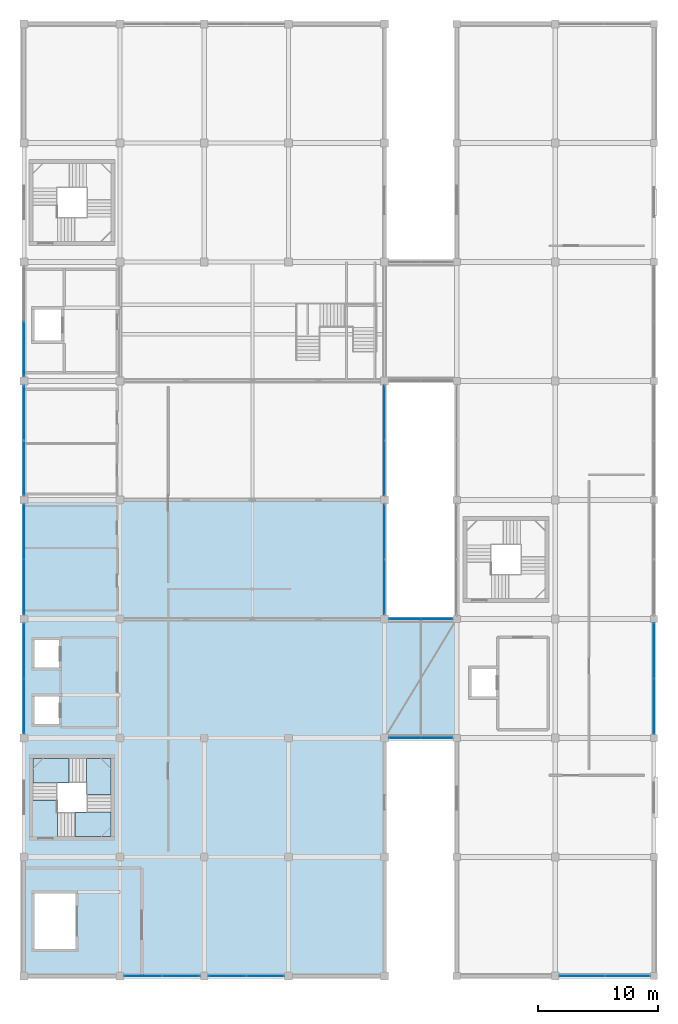
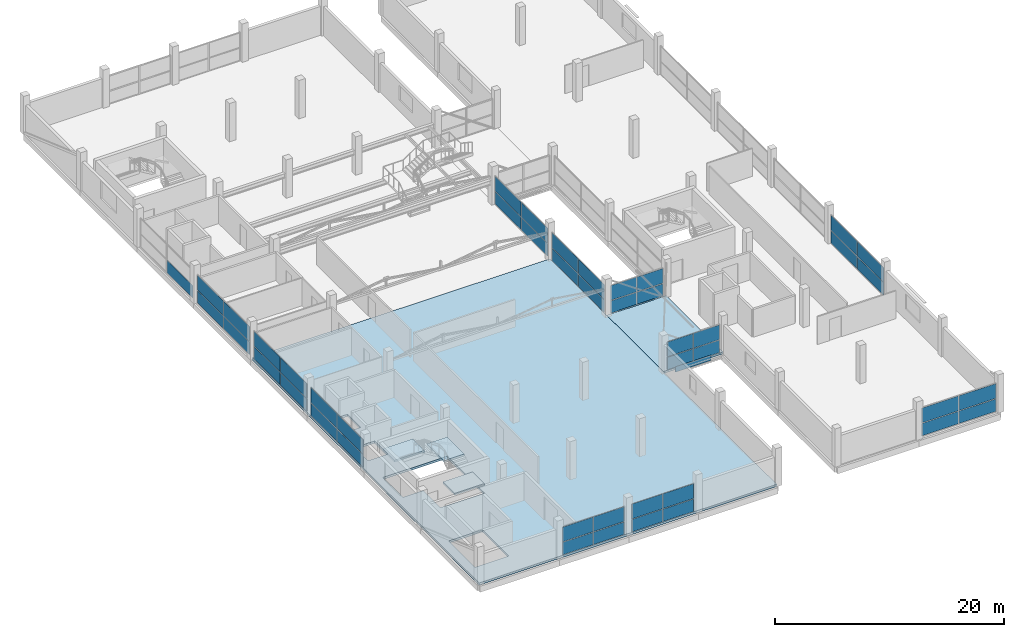
# One storey, part 53 of 70: 47 plates, 5 slabs, 13 elements without a shape of their own.
"""IFC4 building model written with IfcOpenShell, lengths in metres."""

from ifc_helpers import new_model, si_unit, direction, frame, origin, origin_2d, place, context, subcontext, project, spatial, polyline, rectangle, outline, extrude, material, layer, layer_set, type_object, element, aggregate, save


model = new_model("IFC4")

# Units and contexts
model_context = context("Model", 3, precision=1e-05, world=origin(), true_north=direction((0.0, 1.0)))
body_context = subcontext(model_context, "Body", "Model", "MODEL_VIEW")
ifc_project = project(units=[si_unit("LENGTHUNIT", "METRE"), si_unit("AREAUNIT", "SQUARE_METRE"), si_unit("VOLUMEUNIT", "CUBIC_METRE"), si_unit("PLANEANGLEUNIT", "RADIAN"), si_unit("MASSUNIT", "GRAM", prefix="KILO")], contexts=[model_context])

# Site, building, storey
site_placement = place(None, origin())
site = spatial("IfcSite", under=ifc_project, at=site_placement, CompositionType="ELEMENT")
building_placement = place(site_placement, origin())
building = spatial("IfcBuilding", under=site, at=building_placement, Name="Sillaruma Civic Art Gallery", CompositionType="ELEMENT")
storey_placement = place(building_placement, frame((0.0, 0.0, 66.300048828125)))
storey = spatial("IfcBuildingStorey", under=building, at=storey_placement, Name="L13", CompositionType="ELEMENT", Elevation=66.300048828125)

# Plates
ifc_material_1 = material(Name="Anodised Zinc-Aluminium Alloy", Category="aluminium")
ifc_layer_1 = layer(ifc_material_1, 0.044921875, Name="Anodised Zinc-Aluminium Alloy")
ifc_layer_set_1 = layer_set([ifc_layer_1], Name="Anodised Zinc-Aluminium Alloy")
plate_type_1 = type_object("IfcPlateType", Name="PLT-FAS-01", PredefinedType="USERDEFINED", material=ifc_layer_set_1)
for number, where, z_axis, x_axis, name in (
    (1, (95.0, 39.60009765625, -0.469970703125), (0.0, 0.0, 1.0), (1.0, 0.0, 0.0), "Sky-Bridge Fascia Cassette (BRG-S:L13:S)"),
    (2, (95.0, 49.5, -0.469970703125), (0.0, 0.0, 1.0), (1.0, 0.0, 0.0), "Sky-Bridge Fascia Cassette (BRG-S:L13:N)"),
):
    element("IfcPlate", number, at=place(storey_placement, frame(where, z_axis=z_axis, x_axis=x_axis)), inside=storey, type_object=plate_type_1, Name=name, ObjectType="FASCIA CASSETTE", PredefinedType="USERDEFINED", context=body_context, shape_type="SweptSolid", body=[
        extrude(rectangle(XDim=3.60009765625, YDim=0.044921875, at=origin_2d()), origin(), (0.0, 0.0, 1.0), 0.580078125),
    ])

# Curtain wall, plates
ifc_material_2 = material(Name="Thermally Broken Extruded Aluminium 6063-T6", Category="aluminium")
ifc_layer_2 = layer(ifc_material_2, 0.139892578125, Name="Thermally Broken Extruded Aluminium 6063-T6")
ifc_layer_set_2 = layer_set([ifc_layer_2], Name="Thermally Broken Extruded Aluminium 6063-T6")
curtain_wall_type_1 = type_object("IfcCurtainWallType", Name="CW-UNI-93", PredefinedType="NOTDEFINED", material=ifc_layer_set_2)
curtain_wall_1_placement = place(storey_placement, origin())
curtain_wall_1 = element("IfcCurtainWall", 3, at=curtain_wall_1_placement, inside=storey, type_object=curtain_wall_type_1, Name="Unitised Curtain Wall CW-93 (CW-L13-WBW-4)", PredefinedType="NOTDEFINED")
ifc_material_3 = material(Name="Low-E UV-Filtered Laminated Insulating Glass", Category="glass")
ifc_layer_3 = layer(ifc_material_3, 0.028076171875, Name="Low-E UV-Filtered Laminated Insulating Glass")
ifc_layer_set_3 = layer_set([ifc_layer_3], Name="Low-E UV-Filtered Laminated Insulating Glass")
plate_type_2 = type_object("IfcPlateType", Name="PNL-GLZ-28", PredefinedType="CURTAIN_PANEL", material=ifc_layer_set_3)
plate_1_placement = place(storey_placement, frame((62.0, 52.152587890625, 0.06005859375), z_axis=(0.0, 0.0, 1.0), x_axis=(0.0, 1.0, 0.0)))
plate_1 = element("IfcPlate", 4, at=plate_1_placement, type_object=plate_type_2, Name="CW-93 panel 1.1", PredefinedType="CURTAIN_PANEL", context=body_context, shape_type="SweptSolid", body=[
    extrude(rectangle(XDim=4.534912109375, YDim=0.028076171875, at=origin_2d()), origin(), (0.0, 0.0, 1.0), 1.326904296875),
])
plate_2_placement = place(storey_placement, frame((62.0, 52.152587890625, 1.44677734375), z_axis=(0.0, 0.0, 1.0), x_axis=(0.0, 1.0, 0.0)))
plate_2 = element("IfcPlate", 5, at=plate_2_placement, type_object=plate_type_2, Name="CW-93 panel 1.2", PredefinedType="CURTAIN_PANEL", context=body_context, shape_type="SweptSolid", body=[
    extrude(rectangle(XDim=4.534912109375, YDim=0.028076171875, at=origin_2d()), origin(), (0.0, 0.0, 1.0), 1.5732421875),
])
plate_3_placement = place(storey_placement, frame((62.0, 56.74755859375, 0.06005859375), z_axis=(0.0, 0.0, 1.0), x_axis=(0.0, 1.0, 0.0)))
plate_3 = element("IfcPlate", 6, at=plate_3_placement, type_object=plate_type_2, Name="CW-93 panel 2.1", PredefinedType="CURTAIN_PANEL", context=body_context, shape_type="SweptSolid", body=[
    extrude(rectangle(XDim=4.534912109375, YDim=0.028076171875, at=origin_2d()), origin(), (0.0, 0.0, 1.0), 1.326904296875),
])
plate_4_placement = place(storey_placement, frame((62.0, 56.74755859375, 1.44677734375), z_axis=(0.0, 0.0, 1.0), x_axis=(0.0, 1.0, 0.0)))
plate_4 = element("IfcPlate", 7, at=plate_4_placement, type_object=plate_type_2, Name="CW-93 panel 2.2", PredefinedType="CURTAIN_PANEL", context=body_context, shape_type="SweptSolid", body=[
    extrude(rectangle(XDim=4.534912109375, YDim=0.028076171875, at=origin_2d()), origin(), (0.0, 0.0, 1.0), 1.5732421875),
])
aggregate(curtain_wall_1, [plate_1, plate_2, plate_3, plate_4])

ifc_layer_4 = layer(ifc_material_2, 0.139892578125, Name="Thermally Broken Extruded Aluminium 6063-T6")
ifc_layer_set_4 = layer_set([ifc_layer_4], Name="Thermally Broken Extruded Aluminium 6063-T6")
curtain_wall_type_2 = type_object("IfcCurtainWallType", Name="CW-UNI-106", PredefinedType="NOTDEFINED", material=ifc_layer_set_4)
curtain_wall_2_placement = place(storey_placement, origin())
curtain_wall_2 = element("IfcCurtainWall", 8, at=curtain_wall_2_placement, inside=storey, type_object=curtain_wall_type_2, Name="Unitised Curtain Wall CW-106 (CW-L13-WBS-3)", PredefinedType="NOTDEFINED")
plate_5_placement = place(storey_placement, frame((78.927490234375, 19.800048828125, 0.06005859375), z_axis=(0.0, 0.0, 1.0), x_axis=(1.0, 0.0, 0.0)))
plate_5 = element("IfcPlate", 9, at=plate_5_placement, type_object=plate_type_2, Name="CW-106 panel 1.1", PredefinedType="CURTAIN_PANEL", context=body_context, shape_type="SweptSolid", body=[
    extrude(rectangle(XDim=3.0849609375, YDim=0.028076171875, at=origin_2d()), origin(), (0.0, 0.0, 1.0), 1.326904296875),
])
plate_6_placement = place(storey_placement, frame((78.927490234375, 19.800048828125, 1.44677734375), z_axis=(0.0, 0.0, 1.0), x_axis=(1.0, 0.0, 0.0)))
plate_6 = element("IfcPlate", 10, at=plate_6_placement, type_object=plate_type_2, Name="CW-106 panel 1.2", PredefinedType="CURTAIN_PANEL", context=body_context, shape_type="SweptSolid", body=[
    extrude(rectangle(XDim=3.0849609375, YDim=0.028076171875, at=origin_2d()), origin(), (0.0, 0.0, 1.0), 1.5732421875),
])
plate_7_placement = place(storey_placement, frame((82.072509765625, 19.800048828125, 0.06005859375), z_axis=(0.0, 0.0, 1.0), x_axis=(1.0, 0.0, 0.0)))
plate_7 = element("IfcPlate", 11, at=plate_7_placement, type_object=plate_type_2, Name="CW-106 panel 2.1", PredefinedType="CURTAIN_PANEL", context=body_context, shape_type="SweptSolid", body=[
    extrude(rectangle(XDim=3.0849609375, YDim=0.028076171875, at=origin_2d()), origin(), (0.0, 0.0, 1.0), 1.326904296875),
])
plate_8_placement = place(storey_placement, frame((82.072509765625, 19.800048828125, 1.44677734375), z_axis=(0.0, 0.0, 1.0), x_axis=(1.0, 0.0, 0.0)))
plate_8 = element("IfcPlate", 12, at=plate_8_placement, type_object=plate_type_2, Name="CW-106 panel 2.2", PredefinedType="CURTAIN_PANEL", context=body_context, shape_type="SweptSolid", body=[
    extrude(rectangle(XDim=3.0849609375, YDim=0.028076171875, at=origin_2d()), origin(), (0.0, 0.0, 1.0), 1.5732421875),
])
aggregate(curtain_wall_2, [plate_5, plate_6, plate_7, plate_8])

ifc_layer_5 = layer(ifc_material_2, 0.139892578125, Name="Thermally Broken Extruded Aluminium 6063-T6")
ifc_layer_set_5 = layer_set([ifc_layer_5], Name="Thermally Broken Extruded Aluminium 6063-T6")
curtain_wall_type_3 = type_object("IfcCurtainWallType", Name="CW-UNI-107", PredefinedType="NOTDEFINED", material=ifc_layer_set_5)
curtain_wall_3_placement = place(storey_placement, origin())
curtain_wall_3 = element("IfcCurtainWall", 13, at=curtain_wall_3_placement, inside=storey, type_object=curtain_wall_type_3, Name="Unitised Curtain Wall CW-107 (CW-L13-EBS-2)", PredefinedType="NOTDEFINED")
plate_9_placement = place(storey_placement, frame((108.433837890625, 19.800048828125, 0.06005859375), z_axis=(0.0, 0.0, 1.0), x_axis=(1.0, 0.0, 0.0)))
plate_9 = element("IfcPlate", 14, at=plate_9_placement, type_object=plate_type_2, Name="CW-107 panel 1.1", PredefinedType="CURTAIN_PANEL", context=body_context, shape_type="SweptSolid", body=[
    extrude(rectangle(XDim=3.697509765625, YDim=0.028076171875, at=origin_2d()), origin(), (0.0, 0.0, 1.0), 1.326904296875),
])
plate_10_placement = place(storey_placement, frame((108.433837890625, 19.800048828125, 1.44677734375), z_axis=(0.0, 0.0, 1.0), x_axis=(1.0, 0.0, 0.0)))
plate_10 = element("IfcPlate", 15, at=plate_10_placement, type_object=plate_type_2, Name="CW-107 panel 1.2", PredefinedType="CURTAIN_PANEL", context=body_context, shape_type="SweptSolid", body=[
    extrude(rectangle(XDim=3.697509765625, YDim=0.028076171875, at=origin_2d()), origin(), (0.0, 0.0, 1.0), 1.5732421875),
])
plate_11_placement = place(storey_placement, frame((112.191162109375, 19.800048828125, 0.06005859375), z_axis=(0.0, 0.0, 1.0), x_axis=(1.0, 0.0, 0.0)))
plate_11 = element("IfcPlate", 16, at=plate_11_placement, type_object=plate_type_2, Name="CW-107 panel 2.1", PredefinedType="CURTAIN_PANEL", context=body_context, shape_type="SweptSolid", body=[
    extrude(rectangle(XDim=3.697509765625, YDim=0.028076171875, at=origin_2d()), origin(), (0.0, 0.0, 1.0), 1.326904296875),
])
plate_12_placement = place(storey_placement, frame((112.191162109375, 19.800048828125, 1.44677734375), z_axis=(0.0, 0.0, 1.0), x_axis=(1.0, 0.0, 0.0)))
plate_12 = element("IfcPlate", 17, at=plate_12_placement, type_object=plate_type_2, Name="CW-107 panel 2.2", PredefinedType="CURTAIN_PANEL", context=body_context, shape_type="SweptSolid", body=[
    extrude(rectangle(XDim=3.697509765625, YDim=0.028076171875, at=origin_2d()), origin(), (0.0, 0.0, 1.0), 1.5732421875),
])
aggregate(curtain_wall_3, [plate_9, plate_10, plate_11, plate_12])

ifc_layer_6 = layer(ifc_material_2, 0.159912109375, Name="Thermally Broken Extruded Aluminium 6063-T6")
ifc_layer_set_6 = layer_set([ifc_layer_6], Name="Thermally Broken Extruded Aluminium 6063-T6")
curtain_wall_type_4 = type_object("IfcCurtainWallType", Name="CW-UNI-94", PredefinedType="NOTDEFINED", material=ifc_layer_set_6)
curtain_wall_4_placement = place(storey_placement, origin())
curtain_wall_4 = element("IfcCurtainWall", 18, at=curtain_wall_4_placement, inside=storey, type_object=curtain_wall_type_4, Name="Unitised Curtain Wall CW-94 (CW-L13-WBE-4)", PredefinedType="NOTDEFINED")
ifc_layer_7 = layer(ifc_material_3, 0.030029296875, Name="Low-E UV-Filtered Laminated Insulating Glass")
ifc_layer_set_7 = layer_set([ifc_layer_7], Name="Low-E UV-Filtered Laminated Insulating Glass")
plate_type_3 = type_object("IfcPlateType", Name="PNL-GLZ-30", PredefinedType="CURTAIN_PANEL", material=ifc_layer_set_7)
plate_13_placement = place(storey_placement, frame((92.0, 52.15380859375, 0.06005859375), z_axis=(0.0, 0.0, 1.0), x_axis=(0.0, 1.0, 0.0)))
plate_13 = element("IfcPlate", 19, at=plate_13_placement, type_object=plate_type_3, Name="CW-94 panel 1.1", PredefinedType="CURTAIN_PANEL", context=body_context, shape_type="SweptSolid", body=[
    extrude(rectangle(XDim=4.527587890625, YDim=0.030029296875, at=origin_2d()), origin(), (0.0, 0.0, 1.0), 1.326904296875),
])
plate_14_placement = place(storey_placement, frame((92.0, 52.15380859375, 1.44677734375), z_axis=(0.0, 0.0, 1.0), x_axis=(0.0, 1.0, 0.0)))
plate_14 = element("IfcPlate", 20, at=plate_14_placement, type_object=plate_type_3, Name="CW-94 panel 1.2", PredefinedType="CURTAIN_PANEL", context=body_context, shape_type="SweptSolid", body=[
    extrude(rectangle(XDim=4.527587890625, YDim=0.030029296875, at=origin_2d()), origin(), (0.0, 0.0, 1.0), 1.5732421875),
])
plate_15_placement = place(storey_placement, frame((92.0, 56.746337890625, 0.06005859375), z_axis=(0.0, 0.0, 1.0), x_axis=(0.0, 1.0, 0.0)))
plate_15 = element("IfcPlate", 21, at=plate_15_placement, type_object=plate_type_3, Name="CW-94 panel 2.1", PredefinedType="CURTAIN_PANEL", context=body_context, shape_type="SweptSolid", body=[
    extrude(rectangle(XDim=4.527587890625, YDim=0.030029296875, at=origin_2d()), origin(), (0.0, 0.0, 1.0), 1.326904296875),
])
plate_16_placement = place(storey_placement, frame((92.0, 56.746337890625, 1.44677734375), z_axis=(0.0, 0.0, 1.0), x_axis=(0.0, 1.0, 0.0)))
plate_16 = element("IfcPlate", 22, at=plate_16_placement, type_object=plate_type_3, Name="CW-94 panel 2.2", PredefinedType="CURTAIN_PANEL", context=body_context, shape_type="SweptSolid", body=[
    extrude(rectangle(XDim=4.527587890625, YDim=0.030029296875, at=origin_2d()), origin(), (0.0, 0.0, 1.0), 1.5732421875),
])
aggregate(curtain_wall_4, [plate_13, plate_14, plate_15, plate_16])

# Curtain wall, plate
curtain_wall_5_placement = place(storey_placement, origin())
curtain_wall_5 = element("IfcCurtainWall", 23, at=curtain_wall_5_placement, inside=storey, type_object=curtain_wall_type_4, Name="Unitised Curtain Wall CW-94 (CW-L13-WBW-6)", PredefinedType="NOTDEFINED")
plate_17_placement = place(storey_placement, frame((62.0, 71.953857421875, 0.06005859375), z_axis=(0.0, 0.0, 1.0), x_axis=(0.0, 1.0, 0.0)))
plate_17 = element("IfcPlate", 24, at=plate_17_placement, type_object=plate_type_3, Name="CW-94 panel 1.1", PredefinedType="CURTAIN_PANEL", context=body_context, shape_type="SweptSolid", body=[
    extrude(rectangle(XDim=4.527587890625, YDim=0.030029296875, at=origin_2d()), origin(), (0.0, 0.0, 1.0), 1.326904296875),
])
aggregate(curtain_wall_5, [plate_17])

# Curtain wall, plates
ifc_layer_8 = layer(ifc_material_2, 0.159912109375, Name="Thermally Broken Extruded Aluminium 6063-T6")
ifc_layer_set_8 = layer_set([ifc_layer_8], Name="Thermally Broken Extruded Aluminium 6063-T6")
curtain_wall_type_5 = type_object("IfcCurtainWallType", Name="CW-UNI-91", PredefinedType="NOTDEFINED", material=ifc_layer_set_8)
curtain_wall_6_placement = place(storey_placement, origin())
curtain_wall_6 = element("IfcCurtainWall", 25, at=curtain_wall_6_placement, inside=storey, type_object=curtain_wall_type_5, Name="Unitised Curtain Wall CW-91 (CW-L13-WBW-3)", PredefinedType="NOTDEFINED")
ifc_layer_9 = layer(ifc_material_3, 0.031982421875, Name="Low-E UV-Filtered Laminated Insulating Glass")
ifc_layer_set_9 = layer_set([ifc_layer_9], Name="Low-E UV-Filtered Laminated Insulating Glass")
plate_type_4 = type_object("IfcPlateType", Name="PNL-GLZ-32", PredefinedType="CURTAIN_PANEL", material=ifc_layer_set_9)
plate_18_placement = place(storey_placement, frame((62.0, 42.253662109375, 0.06494140625), z_axis=(0.0, 0.0, 1.0), x_axis=(0.0, 1.0, 0.0)))
plate_18 = element("IfcPlate", 26, at=plate_18_placement, type_object=plate_type_4, Name="CW-91 panel 1.1", PredefinedType="CURTAIN_PANEL", context=body_context, shape_type="SweptSolid", body=[
    extrude(rectangle(XDim=4.527587890625, YDim=0.031982421875, at=origin_2d()), origin(), (0.0, 0.0, 1.0), 1.3193359375),
])
plate_19_placement = place(storey_placement, frame((62.0, 42.253662109375, 1.44921875), z_axis=(0.0, 0.0, 1.0), x_axis=(0.0, 1.0, 0.0)))
plate_19 = element("IfcPlate", 27, at=plate_19_placement, type_object=plate_type_4, Name="CW-91 panel 1.2", PredefinedType="CURTAIN_PANEL", context=body_context, shape_type="SweptSolid", body=[
    extrude(rectangle(XDim=4.527587890625, YDim=0.031982421875, at=origin_2d()), origin(), (0.0, 0.0, 1.0), 1.565673828125),
])
plate_20_placement = place(storey_placement, frame((62.0, 46.84619140625, 0.06494140625), z_axis=(0.0, 0.0, 1.0), x_axis=(0.0, 1.0, 0.0)))
plate_20 = element("IfcPlate", 28, at=plate_20_placement, type_object=plate_type_4, Name="CW-91 panel 2.1", PredefinedType="CURTAIN_PANEL", context=body_context, shape_type="SweptSolid", body=[
    extrude(rectangle(XDim=4.527587890625, YDim=0.031982421875, at=origin_2d()), origin(), (0.0, 0.0, 1.0), 1.3193359375),
])
plate_21_placement = place(storey_placement, frame((62.0, 46.84619140625, 1.44921875), z_axis=(0.0, 0.0, 1.0), x_axis=(0.0, 1.0, 0.0)))
plate_21 = element("IfcPlate", 29, at=plate_21_placement, type_object=plate_type_4, Name="CW-91 panel 2.2", PredefinedType="CURTAIN_PANEL", context=body_context, shape_type="SweptSolid", body=[
    extrude(rectangle(XDim=4.527587890625, YDim=0.031982421875, at=origin_2d()), origin(), (0.0, 0.0, 1.0), 1.565673828125),
])
aggregate(curtain_wall_6, [plate_18, plate_19, plate_20, plate_21])

ifc_layer_10 = layer(ifc_material_2, 0.159912109375, Name="Thermally Broken Extruded Aluminium 6063-T6")
ifc_layer_set_10 = layer_set([ifc_layer_10], Name="Thermally Broken Extruded Aluminium 6063-T6")
curtain_wall_type_6 = type_object("IfcCurtainWallType", Name="CW-UNI-96", PredefinedType="NOTDEFINED", material=ifc_layer_set_10)
curtain_wall_7_placement = place(storey_placement, origin())
curtain_wall_7 = element("IfcCurtainWall", 30, at=curtain_wall_7_placement, inside=storey, type_object=curtain_wall_type_6, Name="Unitised Curtain Wall CW-96 (CW-L13-WBS-2)", PredefinedType="NOTDEFINED")
plate_22_placement = place(storey_placement, frame((71.9287109375, 19.800048828125, 0.06494140625), z_axis=(0.0, 0.0, 1.0), x_axis=(1.0, 0.0, 0.0)))
plate_22 = element("IfcPlate", 31, at=plate_22_placement, type_object=plate_type_4, Name="CW-96 panel 1.1", PredefinedType="CURTAIN_PANEL", context=body_context, shape_type="SweptSolid", body=[
    extrude(rectangle(XDim=3.077392578125, YDim=0.031982421875, at=origin_2d()), origin(), (0.0, 0.0, 1.0), 1.3193359375),
])
plate_23_placement = place(storey_placement, frame((71.9287109375, 19.800048828125, 1.44921875), z_axis=(0.0, 0.0, 1.0), x_axis=(1.0, 0.0, 0.0)))
plate_23 = element("IfcPlate", 32, at=plate_23_placement, type_object=plate_type_4, Name="CW-96 panel 1.2", PredefinedType="CURTAIN_PANEL", context=body_context, shape_type="SweptSolid", body=[
    extrude(rectangle(XDim=3.077392578125, YDim=0.031982421875, at=origin_2d()), origin(), (0.0, 0.0, 1.0), 1.565673828125),
])
plate_24_placement = place(storey_placement, frame((75.0712890625, 19.800048828125, 0.06494140625), z_axis=(0.0, 0.0, 1.0), x_axis=(1.0, 0.0, 0.0)))
plate_24 = element("IfcPlate", 33, at=plate_24_placement, type_object=plate_type_4, Name="CW-96 panel 2.1", PredefinedType="CURTAIN_PANEL", context=body_context, shape_type="SweptSolid", body=[
    extrude(rectangle(XDim=3.077392578125, YDim=0.031982421875, at=origin_2d()), origin(), (0.0, 0.0, 1.0), 1.3193359375),
])
plate_25_placement = place(storey_placement, frame((75.0712890625, 19.800048828125, 1.44921875), z_axis=(0.0, 0.0, 1.0), x_axis=(1.0, 0.0, 0.0)))
plate_25 = element("IfcPlate", 34, at=plate_25_placement, type_object=plate_type_4, Name="CW-96 panel 2.2", PredefinedType="CURTAIN_PANEL", context=body_context, shape_type="SweptSolid", body=[
    extrude(rectangle(XDim=3.077392578125, YDim=0.031982421875, at=origin_2d()), origin(), (0.0, 0.0, 1.0), 1.565673828125),
])
aggregate(curtain_wall_7, [plate_22, plate_23, plate_24, plate_25])

ifc_layer_11 = layer(ifc_material_2, 0.139892578125, Name="Thermally Broken Extruded Aluminium 6063-T6")
ifc_layer_set_11 = layer_set([ifc_layer_11], Name="Thermally Broken Extruded Aluminium 6063-T6")
curtain_wall_type_7 = type_object("IfcCurtainWallType", Name="CW-UNI-105", PredefinedType="NOTDEFINED", material=ifc_layer_set_11)
curtain_wall_8_placement = place(storey_placement, origin())
curtain_wall_8 = element("IfcCurtainWall", 35, at=curtain_wall_8_placement, inside=storey, type_object=curtain_wall_type_7, Name="Unitised Curtain Wall CW-105 (CW-L13-WBE-5)", PredefinedType="NOTDEFINED")
ifc_layer_12 = layer(ifc_material_3, 0.033935546875, Name="Low-E UV-Filtered Laminated Insulating Glass")
ifc_layer_set_12 = layer_set([ifc_layer_12], Name="Low-E UV-Filtered Laminated Insulating Glass")
plate_type_5 = type_object("IfcPlateType", Name="PNL-GLZ-34", PredefinedType="CURTAIN_PANEL", material=ifc_layer_set_12)
plate_26_placement = place(storey_placement, frame((92.0, 62.052490234375, 0.06494140625), z_axis=(0.0, 0.0, 1.0), x_axis=(0.0, 1.0, 0.0)))
plate_26 = element("IfcPlate", 36, at=plate_26_placement, type_object=plate_type_5, Name="CW-105 panel 1.1", PredefinedType="CURTAIN_PANEL", context=body_context, shape_type="SweptSolid", body=[
    extrude(rectangle(XDim=4.534912109375, YDim=0.033935546875, at=origin_2d()), origin(), (0.0, 0.0, 1.0), 1.3193359375),
])
plate_27_placement = place(storey_placement, frame((92.0, 62.052490234375, 1.44921875), z_axis=(0.0, 0.0, 1.0), x_axis=(0.0, 1.0, 0.0)))
plate_27 = element("IfcPlate", 37, at=plate_27_placement, type_object=plate_type_5, Name="CW-105 panel 1.2", PredefinedType="CURTAIN_PANEL", context=body_context, shape_type="SweptSolid", body=[
    extrude(rectangle(XDim=4.534912109375, YDim=0.033935546875, at=origin_2d()), origin(), (0.0, 0.0, 1.0), 1.565673828125),
])
plate_28_placement = place(storey_placement, frame((92.0, 66.6474609375, 0.06494140625), z_axis=(0.0, 0.0, 1.0), x_axis=(0.0, 1.0, 0.0)))
plate_28 = element("IfcPlate", 38, at=plate_28_placement, type_object=plate_type_5, Name="CW-105 panel 2.1", PredefinedType="CURTAIN_PANEL", context=body_context, shape_type="SweptSolid", body=[
    extrude(rectangle(XDim=4.534912109375, YDim=0.033935546875, at=origin_2d()), origin(), (0.0, 0.0, 1.0), 1.3193359375),
])
plate_29_placement = place(storey_placement, frame((92.0, 66.6474609375, 1.44921875), z_axis=(0.0, 0.0, 1.0), x_axis=(0.0, 1.0, 0.0)))
plate_29 = element("IfcPlate", 39, at=plate_29_placement, type_object=plate_type_5, Name="CW-105 panel 2.2", PredefinedType="CURTAIN_PANEL", context=body_context, shape_type="SweptSolid", body=[
    extrude(rectangle(XDim=4.534912109375, YDim=0.033935546875, at=origin_2d()), origin(), (0.0, 0.0, 1.0), 1.565673828125),
])
aggregate(curtain_wall_8, [plate_26, plate_27, plate_28, plate_29])

ifc_layer_13 = layer(ifc_material_2, 0.139892578125, Name="Thermally Broken Extruded Aluminium 6063-T6")
ifc_layer_set_13 = layer_set([ifc_layer_13], Name="Thermally Broken Extruded Aluminium 6063-T6")
curtain_wall_type_8 = type_object("IfcCurtainWallType", Name="CW-UNI-99", PredefinedType="NOTDEFINED", material=ifc_layer_set_13)
curtain_wall_9_placement = place(storey_placement, origin())
curtain_wall_9 = element("IfcCurtainWall", 40, at=curtain_wall_9_placement, inside=storey, type_object=curtain_wall_type_8, Name="Unitised Curtain Wall CW-99 (CW-L13-EBE-3)", PredefinedType="NOTDEFINED")
plate_30_placement = place(storey_placement, frame((114.39990234375, 42.239990234375, 0.06494140625), z_axis=(0.0, 0.0, 1.0), x_axis=(0.0, 1.0, 0.0)))
plate_30 = element("IfcPlate", 41, at=plate_30_placement, type_object=plate_type_5, Name="CW-99 panel 1.1", PredefinedType="CURTAIN_PANEL", context=body_context, shape_type="SweptSolid", body=[
    extrude(rectangle(XDim=4.56005859375, YDim=0.033935546875, at=origin_2d()), origin(), (0.0, 0.0, 1.0), 1.3193359375),
])
plate_31_placement = place(storey_placement, frame((114.39990234375, 42.239990234375, 1.44921875), z_axis=(0.0, 0.0, 1.0), x_axis=(0.0, 1.0, 0.0)))
plate_31 = element("IfcPlate", 42, at=plate_31_placement, type_object=plate_type_5, Name="CW-99 panel 1.2", PredefinedType="CURTAIN_PANEL", context=body_context, shape_type="SweptSolid", body=[
    extrude(rectangle(XDim=4.56005859375, YDim=0.033935546875, at=origin_2d()), origin(), (0.0, 0.0, 1.0), 1.565673828125),
])
plate_32_placement = place(storey_placement, frame((114.39990234375, 46.860107421875, 0.06494140625), z_axis=(0.0, 0.0, 1.0), x_axis=(0.0, 1.0, 0.0)))
plate_32 = element("IfcPlate", 43, at=plate_32_placement, type_object=plate_type_5, Name="CW-99 panel 2.1", PredefinedType="CURTAIN_PANEL", context=body_context, shape_type="SweptSolid", body=[
    extrude(rectangle(XDim=4.56005859375, YDim=0.033935546875, at=origin_2d()), origin(), (0.0, 0.0, 1.0), 1.3193359375),
])
plate_33_placement = place(storey_placement, frame((114.39990234375, 46.860107421875, 1.44921875), z_axis=(0.0, 0.0, 1.0), x_axis=(0.0, 1.0, 0.0)))
plate_33 = element("IfcPlate", 44, at=plate_33_placement, type_object=plate_type_5, Name="CW-99 panel 2.2", PredefinedType="CURTAIN_PANEL", context=body_context, shape_type="SweptSolid", body=[
    extrude(rectangle(XDim=4.56005859375, YDim=0.033935546875, at=origin_2d()), origin(), (0.0, 0.0, 1.0), 1.565673828125),
])
aggregate(curtain_wall_9, [plate_30, plate_31, plate_32, plate_33])

# Curtain wall, plate
ifc_layer_14 = layer(ifc_material_2, 0.139892578125, Name="Thermally Broken Extruded Aluminium 6063-T6")
ifc_layer_set_14 = layer_set([ifc_layer_14], Name="Thermally Broken Extruded Aluminium 6063-T6")
curtain_wall_type_9 = type_object("IfcCurtainWallType", Name="CW-UNI-108", PredefinedType="NOTDEFINED", material=ifc_layer_set_14)
curtain_wall_10_placement = place(storey_placement, origin())
curtain_wall_10 = element("IfcCurtainWall", 45, at=curtain_wall_10_placement, inside=storey, type_object=curtain_wall_type_9, Name="Unitised Curtain Wall CW-108 (CW-BRG-S-L13-S)", PredefinedType="NOTDEFINED")
plate_34_placement = place(storey_placement, frame((93.683837890625, 39.60009765625, 0.06494140625), z_axis=(0.0, 0.0, 1.0), x_axis=(1.0, 0.0, 0.0)))
plate_34 = element("IfcPlate", 46, at=plate_34_placement, type_object=plate_type_5, Name="CW-108 panel 1.1", PredefinedType="CURTAIN_PANEL", context=body_context, shape_type="SweptSolid", body=[
    extrude(rectangle(XDim=2.597412109375, YDim=0.033935546875, at=origin_2d()), origin(), (0.0, 0.0, 1.0), 1.3193359375),
])

curtain_wall_11_placement = place(storey_placement, origin())
curtain_wall_11 = element("IfcCurtainWall", 47, at=curtain_wall_11_placement, inside=storey, type_object=curtain_wall_type_9, Name="Unitised Curtain Wall CW-108 (CW-BRG-S-L13-N)", PredefinedType="NOTDEFINED")
plate_35_placement = place(storey_placement, frame((93.683837890625, 49.5, 0.06494140625), z_axis=(0.0, 0.0, 1.0), x_axis=(1.0, 0.0, 0.0)))
plate_35 = element("IfcPlate", 48, at=plate_35_placement, type_object=plate_type_5, Name="CW-108 panel 1.1", PredefinedType="CURTAIN_PANEL", context=body_context, shape_type="SweptSolid", body=[
    extrude(rectangle(XDim=2.597412109375, YDim=0.033935546875, at=origin_2d()), origin(), (0.0, 0.0, 1.0), 1.3193359375),
])

# Curtain wall, plates
ifc_layer_15 = layer(ifc_material_2, 0.179931640625, Name="Thermally Broken Extruded Aluminium 6063-T6")
ifc_layer_set_15 = layer_set([ifc_layer_15], Name="Thermally Broken Extruded Aluminium 6063-T6")
curtain_wall_type_10 = type_object("IfcCurtainWallType", Name="CW-UNI-92", PredefinedType="NOTDEFINED", material=ifc_layer_set_15)
curtain_wall_12_placement = place(storey_placement, origin())
curtain_wall_12 = element("IfcCurtainWall", 49, at=curtain_wall_12_placement, inside=storey, type_object=curtain_wall_type_10, Name="Unitised Curtain Wall CW-92 (CW-L13-WBW-5)", PredefinedType="NOTDEFINED")
ifc_layer_16 = layer(ifc_material_3, 0.0400390625, Name="Low-E UV-Filtered Laminated Insulating Glass")
ifc_layer_set_16 = layer_set([ifc_layer_16], Name="Low-E UV-Filtered Laminated Insulating Glass")
plate_type_6 = type_object("IfcPlateType", Name="PNL-GLZ-40", PredefinedType="CURTAIN_PANEL", material=ifc_layer_set_16)
plate_36_placement = place(storey_placement, frame((62.0, 62.054931640625, 0.06494140625), z_axis=(0.0, 0.0, 1.0), x_axis=(0.0, 1.0, 0.0)))
plate_36 = element("IfcPlate", 50, at=plate_36_placement, type_object=plate_type_6, Name="CW-92 panel 1.1", PredefinedType="CURTAIN_PANEL", context=body_context, shape_type="SweptSolid", body=[
    extrude(rectangle(XDim=4.52001953125, YDim=0.0400390625, at=origin_2d()), origin(), (0.0, 0.0, 1.0), 1.3193359375),
])
plate_37_placement = place(storey_placement, frame((62.0, 62.054931640625, 1.44921875), z_axis=(0.0, 0.0, 1.0), x_axis=(0.0, 1.0, 0.0)))
plate_37 = element("IfcPlate", 51, at=plate_37_placement, type_object=plate_type_6, Name="CW-92 panel 1.2", PredefinedType="CURTAIN_PANEL", context=body_context, shape_type="SweptSolid", body=[
    extrude(rectangle(XDim=4.52001953125, YDim=0.0400390625, at=origin_2d()), origin(), (0.0, 0.0, 1.0), 1.565673828125),
])
plate_38_placement = place(storey_placement, frame((62.0, 66.64501953125, 0.06494140625), z_axis=(0.0, 0.0, 1.0), x_axis=(0.0, 1.0, 0.0)))
plate_38 = element("IfcPlate", 52, at=plate_38_placement, type_object=plate_type_6, Name="CW-92 panel 2.1", PredefinedType="CURTAIN_PANEL", context=body_context, shape_type="SweptSolid", body=[
    extrude(rectangle(XDim=4.52001953125, YDim=0.0400390625, at=origin_2d()), origin(), (0.0, 0.0, 1.0), 1.3193359375),
])
plate_39_placement = place(storey_placement, frame((62.0, 66.64501953125, 1.44921875), z_axis=(0.0, 0.0, 1.0), x_axis=(0.0, 1.0, 0.0)))
plate_39 = element("IfcPlate", 53, at=plate_39_placement, type_object=plate_type_6, Name="CW-92 panel 2.2", PredefinedType="CURTAIN_PANEL", context=body_context, shape_type="SweptSolid", body=[
    extrude(rectangle(XDim=4.52001953125, YDim=0.0400390625, at=origin_2d()), origin(), (0.0, 0.0, 1.0), 1.565673828125),
])
aggregate(curtain_wall_12, [plate_36, plate_37, plate_38, plate_39])

# Plate
ifc_layer_17 = layer(ifc_material_1, 0.033935546875, Name="Anodised Zinc-Aluminium Alloy")
ifc_layer_set_17 = layer_set([ifc_layer_17], Name="Anodised Zinc-Aluminium Alloy")
plate_type_7 = type_object("IfcPlateType", Name="PNL-SPD-34", PredefinedType="CURTAIN_PANEL", material=ifc_layer_set_17)
plate_40_placement = place(storey_placement, frame((93.683837890625, 39.60009765625, 1.44921875), z_axis=(0.0, 0.0, 1.0), x_axis=(1.0, 0.0, 0.0)))
plate_40 = element("IfcPlate", 54, at=plate_40_placement, type_object=plate_type_7, Name="CW-108 panel 1.2", PredefinedType="CURTAIN_PANEL", context=body_context, shape_type="SweptSolid", body=[
    extrude(rectangle(XDim=2.597412109375, YDim=0.033935546875, at=origin_2d()), origin(), (0.0, 0.0, 1.0), 1.565673828125),
])

plate_41_placement = place(storey_placement, frame((96.34130859375, 39.60009765625, 0.06494140625), z_axis=(0.0, 0.0, 1.0), x_axis=(1.0, 0.0, 0.0)))
plate_41 = element("IfcPlate", 55, at=plate_41_placement, type_object=plate_type_7, Name="CW-108 panel 2.1", PredefinedType="CURTAIN_PANEL", context=body_context, shape_type="SweptSolid", body=[
    extrude(rectangle(XDim=2.597412109375, YDim=0.033935546875, at=origin_2d()), origin(), (0.0, 0.0, 1.0), 1.3193359375),
])

plate_42_placement = place(storey_placement, frame((96.34130859375, 39.60009765625, 1.44921875), z_axis=(0.0, 0.0, 1.0), x_axis=(1.0, 0.0, 0.0)))
plate_42 = element("IfcPlate", 56, at=plate_42_placement, type_object=plate_type_7, Name="CW-108 panel 2.2", PredefinedType="CURTAIN_PANEL", context=body_context, shape_type="SweptSolid", body=[
    extrude(rectangle(XDim=2.597412109375, YDim=0.033935546875, at=origin_2d()), origin(), (0.0, 0.0, 1.0), 1.565673828125),
])

aggregate(curtain_wall_10, [plate_34, plate_40, plate_41, plate_42])

plate_43_placement = place(storey_placement, frame((93.683837890625, 49.5, 1.44921875), z_axis=(0.0, 0.0, 1.0), x_axis=(1.0, 0.0, 0.0)))
plate_43 = element("IfcPlate", 57, at=plate_43_placement, type_object=plate_type_7, Name="CW-108 panel 1.2", PredefinedType="CURTAIN_PANEL", context=body_context, shape_type="SweptSolid", body=[
    extrude(rectangle(XDim=2.597412109375, YDim=0.033935546875, at=origin_2d()), origin(), (0.0, 0.0, 1.0), 1.565673828125),
])

plate_44_placement = place(storey_placement, frame((96.34130859375, 49.5, 0.06494140625), z_axis=(0.0, 0.0, 1.0), x_axis=(1.0, 0.0, 0.0)))
plate_44 = element("IfcPlate", 58, at=plate_44_placement, type_object=plate_type_7, Name="CW-108 panel 2.1", PredefinedType="CURTAIN_PANEL", context=body_context, shape_type="SweptSolid", body=[
    extrude(rectangle(XDim=2.597412109375, YDim=0.033935546875, at=origin_2d()), origin(), (0.0, 0.0, 1.0), 1.3193359375),
])

plate_45_placement = place(storey_placement, frame((96.34130859375, 49.5, 1.44921875), z_axis=(0.0, 0.0, 1.0), x_axis=(1.0, 0.0, 0.0)))
plate_45 = element("IfcPlate", 59, at=plate_45_placement, type_object=plate_type_7, Name="CW-108 panel 2.2", PredefinedType="CURTAIN_PANEL", context=body_context, shape_type="SweptSolid", body=[
    extrude(rectangle(XDim=2.597412109375, YDim=0.033935546875, at=origin_2d()), origin(), (0.0, 0.0, 1.0), 1.565673828125),
])

aggregate(curtain_wall_11, [plate_35, plate_43, plate_44, plate_45])

# Slabs
ifc_material_4 = material(Name="Concrete H35 (35 MPa)", Category="concrete")
ifc_layer_18 = layer(ifc_material_4, 0.2099609375, Name="Concrete H35 (35 MPa)")
ifc_layer_set_18 = layer_set([ifc_layer_18], Name="Concrete H35 (35 MPa)")
slab_type_1 = type_object("IfcSlabType", Name="SLB-FLR-210", PredefinedType="FLOOR", material=ifc_layer_set_18)
slab_1_placement = place(storey_placement, frame((0.0, 0.0, -0.2099609375)))
element("IfcSlab", 60, at=slab_1_placement, inside=storey, type_object=slab_type_1, Name="Floor Slab SF-210 (SLB-L13-BRGS)", PredefinedType="FLOOR", context=body_context, shape_type="SweptSolid", body=[
    extrude(outline(polyline([(92.0, 39.60009765625), (98.0, 39.60009765625), (98.0, 49.5), (92.0, 49.5), (92.0, 39.60009765625)])), origin(), (0.0, 0.0, 1.0), 0.2099609375),
])
ifc_layer_19 = layer(ifc_material_4, 0.22998046875, Name="Concrete H35 (35 MPa)")
ifc_layer_set_19 = layer_set([ifc_layer_19], Name="Concrete H35 (35 MPa)")
slab_type_2 = type_object("IfcSlabType", Name="SLB-FLR-230", PredefinedType="FLOOR", material=ifc_layer_set_19)
slab_2_placement = place(storey_placement, frame((0.0, 0.0, -0.22998046875)))
element("IfcSlab", 61, at=slab_2_placement, inside=storey, type_object=slab_type_2, Name="Floor Slab SF-230 (SLB-L13-WESTS)", PredefinedType="FLOOR", context=body_context, shape_type="SweptSolid", body=[
    extrude(outline(polyline([(62.0, 19.800048828125), (92.0, 19.800048828125), (92.0, 59.39990234375), (62.0, 59.39990234375), (62.0, 19.800048828125)]), holes=[polyline([(64.81494140625, 31.409912109375), (69.239990234375, 31.409912109375), (69.239990234375, 37.889892578125), (62.760009765625, 37.889892578125), (62.760009765625, 34.4150390625), (64.81494140625, 34.4150390625), (64.81494140625, 31.409912109375)]), polyline([(62.89990234375, 40.75), (64.89990234375, 40.75), (64.89990234375, 43.050048828125), (62.89990234375, 43.050048828125), (62.89990234375, 40.75)]), polyline([(62.89990234375, 45.449951171875), (64.89990234375, 45.449951171875), (64.89990234375, 47.75), (62.89990234375, 47.75), (62.89990234375, 45.449951171875)]), polyline([(62.89990234375, 22.050048828125), (66.300048828125, 22.050048828125), (66.300048828125, 26.64990234375), (62.89990234375, 26.64990234375), (62.89990234375, 22.050048828125)])]), origin(), (0.0, 0.0, 1.0), 0.22998046875),
])

# Stair, slabs
stair_type = type_object("IfcStairType", Name="STR-4F-24", PredefinedType="USERDEFINED", material=ifc_material_4)
stair_placement = place(storey_placement, origin())
stair = element("IfcStair", 62, at=stair_placement, inside=storey, type_object=stair_type, Name="Protected Exit Stair ST-03 (West Bar South) (L13)", ObjectType="THREE_RETURN_STAIR", PredefinedType="USERDEFINED")
ifc_layer_20 = layer(ifc_material_4, 0.199951171875, Name="Concrete H35 (35 MPa)")
ifc_layer_set_20 = layer_set([ifc_layer_20], Name="Concrete H35 (35 MPa)")
slab_type_3 = type_object("IfcSlabType", Name="SLB-LND-200", PredefinedType="LANDING", material=ifc_layer_set_20)
slab_3_placement = place(storey_placement, frame((0.0, 0.0, 0.820068359375)))
slab_3 = element("IfcSlab", 63, at=slab_3_placement, type_object=slab_type_3, Name="ST-03 landing 1", PredefinedType="LANDING", context=body_context, shape_type="SweptSolid", body=[
    extrude(outline(polyline([(66.25, 31.409912109375), (69.239990234375, 31.409912109375), (69.239990234375, 33.449951171875), (66.25, 33.449951171875), (66.25, 31.409912109375)])), origin(), (0.0, 0.0, 1.0), 0.199951171875),
])
slab_4_placement = place(storey_placement, frame((0.0, 0.0, 1.83984375)))
slab_4 = element("IfcSlab", 64, at=slab_4_placement, type_object=slab_type_3, Name="ST-03 landing 2", PredefinedType="LANDING", context=body_context, shape_type="SweptSolid", body=[
    extrude(outline(polyline([(67.199951171875, 34.89990234375), (69.239990234375, 34.89990234375), (69.239990234375, 37.889892578125), (67.199951171875, 37.889892578125), (67.199951171875, 34.89990234375)])), origin(), (0.0, 0.0, 1.0), 0.2001953125),
])
slab_5_placement = place(storey_placement, frame((0.0, 0.0, 2.85986328125)))
slab_5 = element("IfcSlab", 65, at=slab_5_placement, type_object=slab_type_3, Name="ST-03 landing 3", PredefinedType="LANDING", context=body_context, shape_type="SweptSolid", body=[
    extrude(outline(polyline([(62.760009765625, 35.85009765625), (65.75, 35.85009765625), (65.75, 37.889892578125), (62.760009765625, 37.889892578125), (62.760009765625, 35.85009765625)])), origin(), (0.0, 0.0, 1.0), 0.2001953125),
])
aggregate(stair, [slab_3, slab_4, slab_5])

save(model, "model.ifc")
